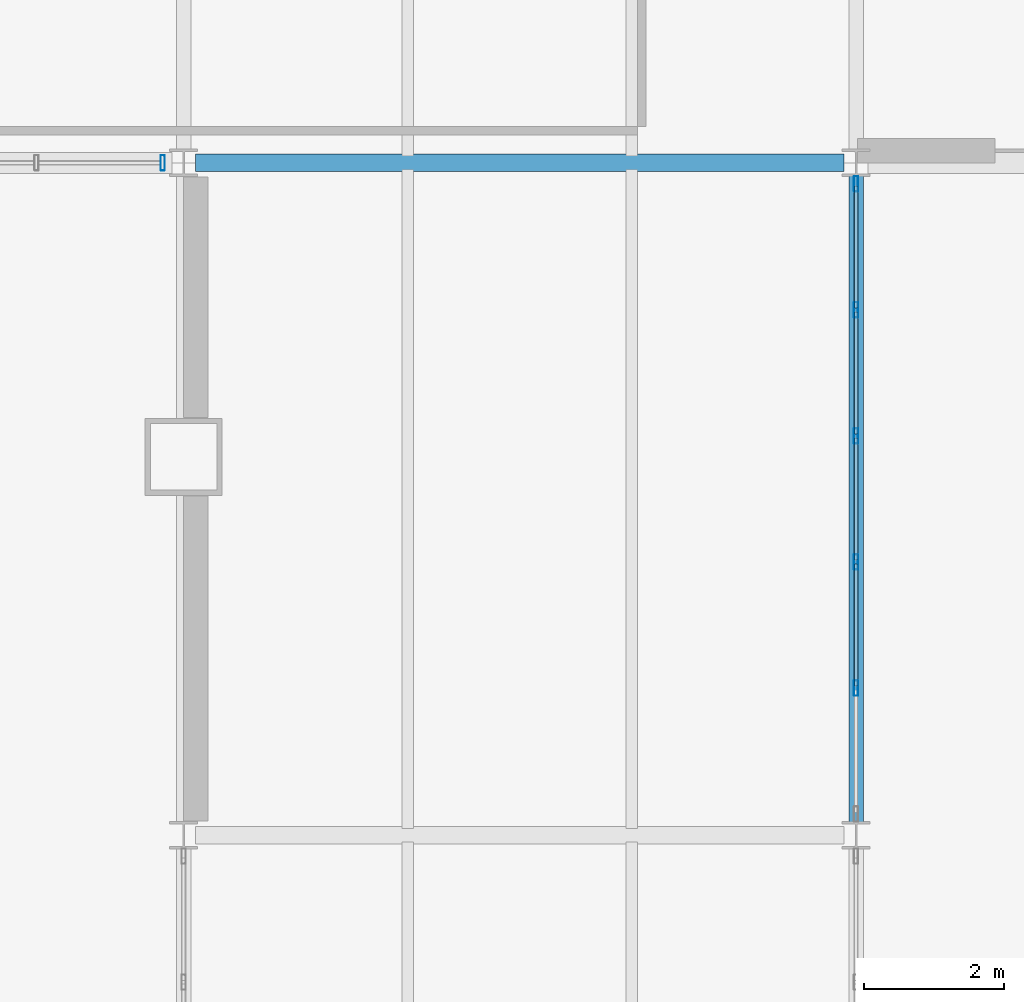
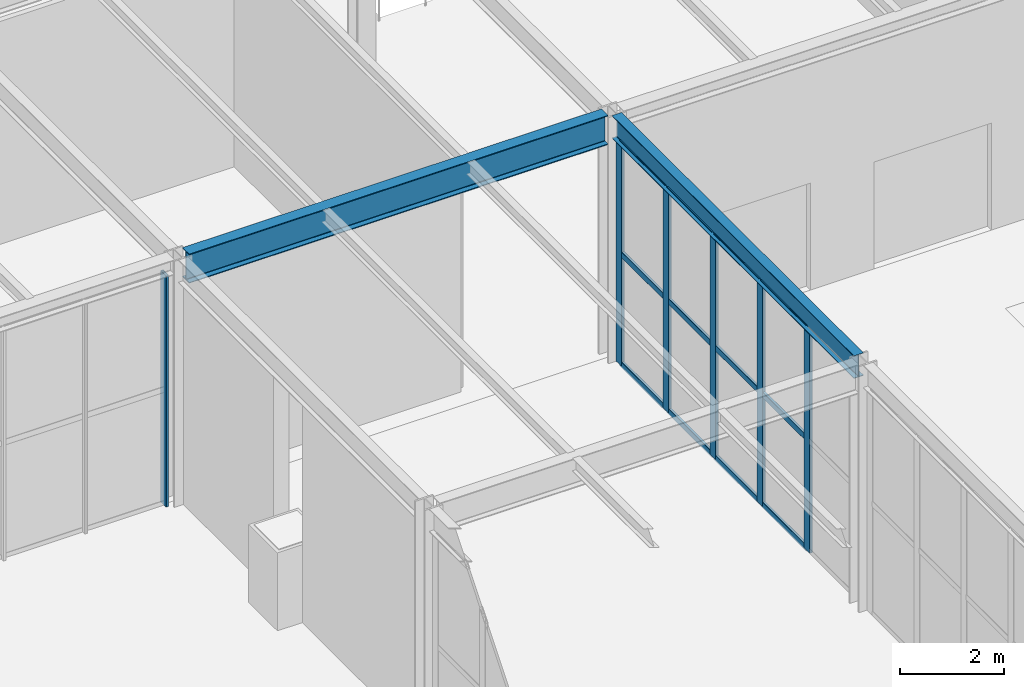
# One storey, part 57 of 142: 18 members, 2 beams, 2 elements without a shape of their own.
"""IFC4 building model written with IfcOpenShell, lengths in metres."""

from ifc_helpers import new_model, si_unit, direction, frame, origin, origin_2d, place, context, subcontext, project, spatial, hollow_rectangle, i_section, extrude, material, material_profile, profile_set, type_object, element, aggregate, save


model = new_model("IFC4")

# Units and contexts
model_context = context("Model", 3, precision=1e-05, world=origin(), true_north=direction((0.0, 1.0)))
body_context = subcontext(model_context, "Body", "Model", "MODEL_VIEW")
ifc_project = project(units=[si_unit("LENGTHUNIT", "METRE"), si_unit("AREAUNIT", "SQUARE_METRE"), si_unit("VOLUMEUNIT", "CUBIC_METRE"), si_unit("PLANEANGLEUNIT", "RADIAN"), si_unit("MASSUNIT", "GRAM", prefix="KILO")], contexts=[model_context])

# Site, building, storey
site_placement = place(None, origin())
site = spatial("IfcSite", under=ifc_project, at=site_placement, CompositionType="ELEMENT")
building_placement = place(site_placement, origin())
building = spatial("IfcBuilding", under=site, at=building_placement, Name="Coralgate Yard Interchange", CompositionType="ELEMENT")
storey_placement = place(building_placement, origin())
storey = spatial("IfcBuildingStorey", under=building, at=storey_placement, Name="L00", CompositionType="ELEMENT", Elevation=0.0)

# Beams
ifc_material_1 = material(Name="Structural steel S355J2", Category="steel")
ifc_material_profile_1 = material_profile(ifc_material_1, i_section(OverallWidth=0.209228515625, OverallDepth=0.533203125, WebThickness=0.010009765625, FlangeThickness=0.015625, FilletRadius=0.0126953125, at=origin_2d()), Name="UB 533x210x92")
ifc_profile_set_1 = profile_set([ifc_material_profile_1], Name="Structural steel S355J2")
beam_type_1 = type_object("IfcBeamType", Name="BM-SB-1", PredefinedType="BEAM", material=ifc_profile_set_1)
beam_1_placement = place(storey_placement, frame((57.60009765625, 28.966796875, 5.4833984375), z_axis=(0.0, 1.0, 0.0), x_axis=(-1.0, 0.0, 0.0)))
element("IfcBeam", 1, at=beam_1_placement, inside=storey, type_object=beam_type_1, Name="L00 primary grid girder X6 Y3-4", PredefinedType="BEAM", context=body_context, shape_type="SweptSolid", body=[
    extrude(i_section(OverallWidth=0.209228515625, OverallDepth=0.533203125, WebThickness=0.010009765625, FlangeThickness=0.015625, FilletRadius=0.0126953125, at=origin_2d()), origin(), (0.0, 0.0, 1.0), 9.266357421875),
])
ifc_material_profile_2 = material_profile(ifc_material_1, i_section(OverallWidth=0.253662109375, OverallDepth=0.68359375, WebThickness=0.012451171875, FlangeThickness=0.01904296875, FilletRadius=0.01513671875, at=origin_2d()), Name="UB 686x254x140")
ifc_profile_set_2 = profile_set([ifc_material_profile_2], Name="Structural steel S355J2")
beam_type_2 = type_object("IfcBeamType", Name="BM-SG-4", PredefinedType="BEAM", material=ifc_profile_set_2)
beam_2_placement = place(storey_placement, frame((48.16943359375, 38.39990234375, 5.408203125), z_axis=(1.0, 0.0, 0.0), x_axis=(0.0, 1.0, 0.0)))
element("IfcBeam", 2, at=beam_2_placement, inside=storey, type_object=beam_type_2, Name="L00 primary grid beam Y4 X5-6", PredefinedType="BEAM", context=body_context, shape_type="SweptSolid", body=[
    extrude(i_section(OverallWidth=0.253662109375, OverallDepth=0.68359375, WebThickness=0.012451171875, FlangeThickness=0.01904296875, FilletRadius=0.01513671875, at=origin_2d()), origin(), (0.0, 0.0, 1.0), 9.260986328125),
])

# Curtain wall, member
ifc_material_2 = material(Name="Anodised coastal aluminium and solar-control low-E glass", Category="aluminium")
curtain_wall_type = type_object("IfcCurtainWallType", Name="CW-CW-L00-A", PredefinedType="NOTDEFINED", material=ifc_material_2)
curtain_wall_1_placement = place(storey_placement, origin())
curtain_wall_1 = element("IfcCurtainWall", 3, at=curtain_wall_1_placement, inside=storey, type_object=curtain_wall_type, Name="L00 unitised curtain wall CW-L00-S-04-04", PredefinedType="NOTDEFINED")
ifc_material_3 = material(Name="Anodised coastal aluminium 6063-T6", Category="aluminium")
ifc_material_profile_3 = material_profile(ifc_material_3, hollow_rectangle(XDim=0.06005859375, YDim=0.219970703125, WallThickness=0.00390625, InnerFilletRadius=0.00390625, OuterFilletRadius=0.008056640625, at=origin_2d()), Name="ALU 60x220x4")
ifc_profile_set_3 = profile_set([ifc_material_profile_3], Name="Anodised coastal aluminium 6063-T6")
member_type_1 = type_object("IfcMemberType", Name="MB-MUL-220", PredefinedType="MULLION", material=ifc_profile_set_3)
member_1_placement = place(storey_placement, frame((47.699951171875, 38.39990234375, 0.0), z_axis=(0.0, 0.0, 1.0), x_axis=(1.0, 0.0, 0.0)))
member_1 = element("IfcMember", 4, at=member_1_placement, type_object=member_type_1, Name="CW-L00-S-04-04 vertical mullion 1", PredefinedType="MULLION", context=body_context, shape_type="SweptSolid", body=[
    extrude(hollow_rectangle(XDim=0.06005859375, YDim=0.219970703125, WallThickness=0.00390625, InnerFilletRadius=0.00390625, OuterFilletRadius=0.008056640625, at=origin_2d()), origin(), (0.0, 0.0, 1.0), 5.39990234375),
])
aggregate(curtain_wall_1, [member_1])

# Curtain wall, members
curtain_wall_2_placement = place(storey_placement, origin())
curtain_wall_2 = element("IfcCurtainWall", 5, at=curtain_wall_2_placement, inside=storey, type_object=curtain_wall_type, Name="L00 unitised curtain wall CW-L00-E-05-03", PredefinedType="NOTDEFINED")
member_2_placement = place(storey_placement, frame((57.60009765625, 38.10009765625, 0.0), z_axis=(0.0, 0.0, 1.0), x_axis=(1.0, 0.0, 0.0)))
member_2 = element("IfcMember", 6, at=member_2_placement, type_object=member_type_1, Name="CW-L00-E-05-03 vertical mullion 1", PredefinedType="MULLION", context=body_context, shape_type="SweptSolid", body=[
    extrude(hollow_rectangle(XDim=0.06005859375, YDim=0.219970703125, WallThickness=0.00390625, InnerFilletRadius=0.00390625, OuterFilletRadius=0.008056640625, at=origin_2d()), origin(), (0.0, 0.0, 1.0), 5.216796875),
])
member_3_placement = place(storey_placement, frame((57.60009765625, 36.300048828125, 0.0), z_axis=(0.0, 0.0, 1.0), x_axis=(1.0, 0.0, 0.0)))
member_3 = element("IfcMember", 7, at=member_3_placement, type_object=member_type_1, Name="CW-L00-E-05-03 vertical mullion 2", PredefinedType="MULLION", context=body_context, shape_type="SweptSolid", body=[
    extrude(hollow_rectangle(XDim=0.06005859375, YDim=0.219970703125, WallThickness=0.00390625, InnerFilletRadius=0.00390625, OuterFilletRadius=0.008056640625, at=origin_2d()), origin(), (0.0, 0.0, 1.0), 5.216796875),
])
member_4_placement = place(storey_placement, frame((57.60009765625, 34.5, 0.0), z_axis=(0.0, 0.0, 1.0), x_axis=(1.0, 0.0, 0.0)))
member_4 = element("IfcMember", 8, at=member_4_placement, type_object=member_type_1, Name="CW-L00-E-05-03 vertical mullion 3", PredefinedType="MULLION", context=body_context, shape_type="SweptSolid", body=[
    extrude(hollow_rectangle(XDim=0.06005859375, YDim=0.219970703125, WallThickness=0.00390625, InnerFilletRadius=0.00390625, OuterFilletRadius=0.008056640625, at=origin_2d()), origin(), (0.0, 0.0, 1.0), 5.216796875),
])
member_5_placement = place(storey_placement, frame((57.60009765625, 32.699951171875, 0.0), z_axis=(0.0, 0.0, 1.0), x_axis=(1.0, 0.0, 0.0)))
member_5 = element("IfcMember", 9, at=member_5_placement, type_object=member_type_1, Name="CW-L00-E-05-03 vertical mullion 4", PredefinedType="MULLION", context=body_context, shape_type="SweptSolid", body=[
    extrude(hollow_rectangle(XDim=0.06005859375, YDim=0.219970703125, WallThickness=0.00390625, InnerFilletRadius=0.00390625, OuterFilletRadius=0.008056640625, at=origin_2d()), origin(), (0.0, 0.0, 1.0), 5.216796875),
])
member_6_placement = place(storey_placement, frame((57.60009765625, 30.89990234375, 0.0), z_axis=(0.0, 0.0, 1.0), x_axis=(1.0, 0.0, 0.0)))
member_6 = element("IfcMember", 10, at=member_6_placement, type_object=member_type_1, Name="CW-L00-E-05-03 vertical mullion 5", PredefinedType="MULLION", context=body_context, shape_type="SweptSolid", body=[
    extrude(hollow_rectangle(XDim=0.06005859375, YDim=0.219970703125, WallThickness=0.00390625, InnerFilletRadius=0.00390625, OuterFilletRadius=0.008056640625, at=origin_2d()), origin(), (0.0, 0.0, 1.0), 5.216796875),
])
ifc_material_profile_4 = material_profile(ifc_material_3, hollow_rectangle(XDim=0.06005859375, YDim=0.139892578125, WallThickness=0.00341796875, InnerFilletRadius=0.00341796875, OuterFilletRadius=0.007080078125, at=origin_2d()), Name="ALU 60x140x3.5")
ifc_profile_set_4 = profile_set([ifc_material_profile_4], Name="Anodised coastal aluminium 6063-T6")
member_type_2 = type_object("IfcMemberType", Name="MB-TRN-140", PredefinedType="USERDEFINED", material=ifc_profile_set_4)
member_7_placement = place(storey_placement, frame((57.60009765625, 38.070068359375, 0.034912109375), z_axis=(0.0, -1.0, 0.0), x_axis=(1.0, 0.0, 0.0)))
member_7 = element("IfcMember", 11, at=member_7_placement, type_object=member_type_2, Name="CW-L00-E-05-03 horizontal transom 1-1", ObjectType="TRANSOM", PredefinedType="USERDEFINED", context=body_context, shape_type="SweptSolid", body=[
    extrude(hollow_rectangle(XDim=0.06005859375, YDim=0.139892578125, WallThickness=0.00341796875, InnerFilletRadius=0.00341796875, OuterFilletRadius=0.007080078125, at=origin_2d()), origin(), (0.0, 0.0, 1.0), 1.739990234375),
])
member_8_placement = place(storey_placement, frame((57.60009765625, 38.070068359375, 2.6083984375), z_axis=(0.0, -1.0, 0.0), x_axis=(1.0, 0.0, 0.0)))
member_8 = element("IfcMember", 12, at=member_8_placement, type_object=member_type_2, Name="CW-L00-E-05-03 horizontal transom 1-2", ObjectType="TRANSOM", PredefinedType="USERDEFINED", context=body_context, shape_type="SweptSolid", body=[
    extrude(hollow_rectangle(XDim=0.06005859375, YDim=0.139892578125, WallThickness=0.00341796875, InnerFilletRadius=0.00341796875, OuterFilletRadius=0.007080078125, at=origin_2d()), origin(), (0.0, 0.0, 1.0), 1.739990234375),
])
member_9_placement = place(storey_placement, frame((57.60009765625, 38.070068359375, 5.181884765625), z_axis=(0.0, -1.0, 0.0), x_axis=(1.0, 0.0, 0.0)))
member_9 = element("IfcMember", 13, at=member_9_placement, type_object=member_type_2, Name="CW-L00-E-05-03 horizontal transom 1-3", ObjectType="TRANSOM", PredefinedType="USERDEFINED", context=body_context, shape_type="SweptSolid", body=[
    extrude(hollow_rectangle(XDim=0.06005859375, YDim=0.139892578125, WallThickness=0.00341796875, InnerFilletRadius=0.00341796875, OuterFilletRadius=0.007080078125, at=origin_2d()), origin(), (0.0, 0.0, 1.0), 1.739990234375),
])
member_10_placement = place(storey_placement, frame((57.60009765625, 36.27001953125, 0.034912109375), z_axis=(0.0, -1.0, 0.0), x_axis=(1.0, 0.0, 0.0)))
member_10 = element("IfcMember", 14, at=member_10_placement, type_object=member_type_2, Name="CW-L00-E-05-03 horizontal transom 2-1", ObjectType="TRANSOM", PredefinedType="USERDEFINED", context=body_context, shape_type="SweptSolid", body=[
    extrude(hollow_rectangle(XDim=0.06005859375, YDim=0.139892578125, WallThickness=0.00341796875, InnerFilletRadius=0.00341796875, OuterFilletRadius=0.007080078125, at=origin_2d()), origin(), (0.0, 0.0, 1.0), 1.739990234375),
])
member_11_placement = place(storey_placement, frame((57.60009765625, 36.27001953125, 2.6083984375), z_axis=(0.0, -1.0, 0.0), x_axis=(1.0, 0.0, 0.0)))
member_11 = element("IfcMember", 15, at=member_11_placement, type_object=member_type_2, Name="CW-L00-E-05-03 horizontal transom 2-2", ObjectType="TRANSOM", PredefinedType="USERDEFINED", context=body_context, shape_type="SweptSolid", body=[
    extrude(hollow_rectangle(XDim=0.06005859375, YDim=0.139892578125, WallThickness=0.00341796875, InnerFilletRadius=0.00341796875, OuterFilletRadius=0.007080078125, at=origin_2d()), origin(), (0.0, 0.0, 1.0), 1.739990234375),
])
member_12_placement = place(storey_placement, frame((57.60009765625, 36.27001953125, 5.181884765625), z_axis=(0.0, -1.0, 0.0), x_axis=(1.0, 0.0, 0.0)))
member_12 = element("IfcMember", 16, at=member_12_placement, type_object=member_type_2, Name="CW-L00-E-05-03 horizontal transom 2-3", ObjectType="TRANSOM", PredefinedType="USERDEFINED", context=body_context, shape_type="SweptSolid", body=[
    extrude(hollow_rectangle(XDim=0.06005859375, YDim=0.139892578125, WallThickness=0.00341796875, InnerFilletRadius=0.00341796875, OuterFilletRadius=0.007080078125, at=origin_2d()), origin(), (0.0, 0.0, 1.0), 1.739990234375),
])
member_13_placement = place(storey_placement, frame((57.60009765625, 34.469970703125, 0.034912109375), z_axis=(0.0, -1.0, 0.0), x_axis=(1.0, 0.0, 0.0)))
member_13 = element("IfcMember", 17, at=member_13_placement, type_object=member_type_2, Name="CW-L00-E-05-03 horizontal transom 3-1", ObjectType="TRANSOM", PredefinedType="USERDEFINED", context=body_context, shape_type="SweptSolid", body=[
    extrude(hollow_rectangle(XDim=0.06005859375, YDim=0.139892578125, WallThickness=0.00341796875, InnerFilletRadius=0.00341796875, OuterFilletRadius=0.007080078125, at=origin_2d()), origin(), (0.0, 0.0, 1.0), 1.739990234375),
])
member_14_placement = place(storey_placement, frame((57.60009765625, 34.469970703125, 2.6083984375), z_axis=(0.0, -1.0, 0.0), x_axis=(1.0, 0.0, 0.0)))
member_14 = element("IfcMember", 18, at=member_14_placement, type_object=member_type_2, Name="CW-L00-E-05-03 horizontal transom 3-2", ObjectType="TRANSOM", PredefinedType="USERDEFINED", context=body_context, shape_type="SweptSolid", body=[
    extrude(hollow_rectangle(XDim=0.06005859375, YDim=0.139892578125, WallThickness=0.00341796875, InnerFilletRadius=0.00341796875, OuterFilletRadius=0.007080078125, at=origin_2d()), origin(), (0.0, 0.0, 1.0), 1.739990234375),
])
member_15_placement = place(storey_placement, frame((57.60009765625, 34.469970703125, 5.181884765625), z_axis=(0.0, -1.0, 0.0), x_axis=(1.0, 0.0, 0.0)))
member_15 = element("IfcMember", 19, at=member_15_placement, type_object=member_type_2, Name="CW-L00-E-05-03 horizontal transom 3-3", ObjectType="TRANSOM", PredefinedType="USERDEFINED", context=body_context, shape_type="SweptSolid", body=[
    extrude(hollow_rectangle(XDim=0.06005859375, YDim=0.139892578125, WallThickness=0.00341796875, InnerFilletRadius=0.00341796875, OuterFilletRadius=0.007080078125, at=origin_2d()), origin(), (0.0, 0.0, 1.0), 1.739990234375),
])
member_16_placement = place(storey_placement, frame((57.60009765625, 32.669921875, 0.034912109375), z_axis=(0.0, -1.0, 0.0), x_axis=(1.0, 0.0, 0.0)))
member_16 = element("IfcMember", 20, at=member_16_placement, type_object=member_type_2, Name="CW-L00-E-05-03 horizontal transom 4-1", ObjectType="TRANSOM", PredefinedType="USERDEFINED", context=body_context, shape_type="SweptSolid", body=[
    extrude(hollow_rectangle(XDim=0.06005859375, YDim=0.139892578125, WallThickness=0.00341796875, InnerFilletRadius=0.00341796875, OuterFilletRadius=0.007080078125, at=origin_2d()), origin(), (0.0, 0.0, 1.0), 1.739990234375),
])
member_17_placement = place(storey_placement, frame((57.60009765625, 32.669921875, 2.6083984375), z_axis=(0.0, -1.0, 0.0), x_axis=(1.0, 0.0, 0.0)))
member_17 = element("IfcMember", 21, at=member_17_placement, type_object=member_type_2, Name="CW-L00-E-05-03 horizontal transom 4-2", ObjectType="TRANSOM", PredefinedType="USERDEFINED", context=body_context, shape_type="SweptSolid", body=[
    extrude(hollow_rectangle(XDim=0.06005859375, YDim=0.139892578125, WallThickness=0.00341796875, InnerFilletRadius=0.00341796875, OuterFilletRadius=0.007080078125, at=origin_2d()), origin(), (0.0, 0.0, 1.0), 1.739990234375),
])
member_18_placement = place(storey_placement, frame((57.60009765625, 32.669921875, 5.181884765625), z_axis=(0.0, -1.0, 0.0), x_axis=(1.0, 0.0, 0.0)))
member_18 = element("IfcMember", 22, at=member_18_placement, type_object=member_type_2, Name="CW-L00-E-05-03 horizontal transom 4-3", ObjectType="TRANSOM", PredefinedType="USERDEFINED", context=body_context, shape_type="SweptSolid", body=[
    extrude(hollow_rectangle(XDim=0.06005859375, YDim=0.139892578125, WallThickness=0.00341796875, InnerFilletRadius=0.00341796875, OuterFilletRadius=0.007080078125, at=origin_2d()), origin(), (0.0, 0.0, 1.0), 1.739990234375),
])
aggregate(curtain_wall_2, [member_2, member_3, member_4, member_5, member_6, member_7, member_8, member_9, member_10, member_11, member_12, member_13, member_14, member_15, member_16, member_17, member_18])

save(model, "model.ifc")
